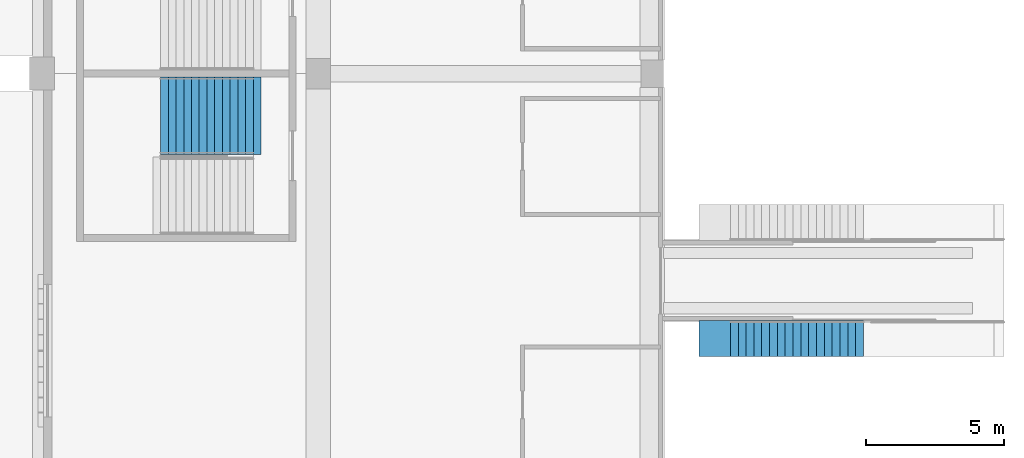
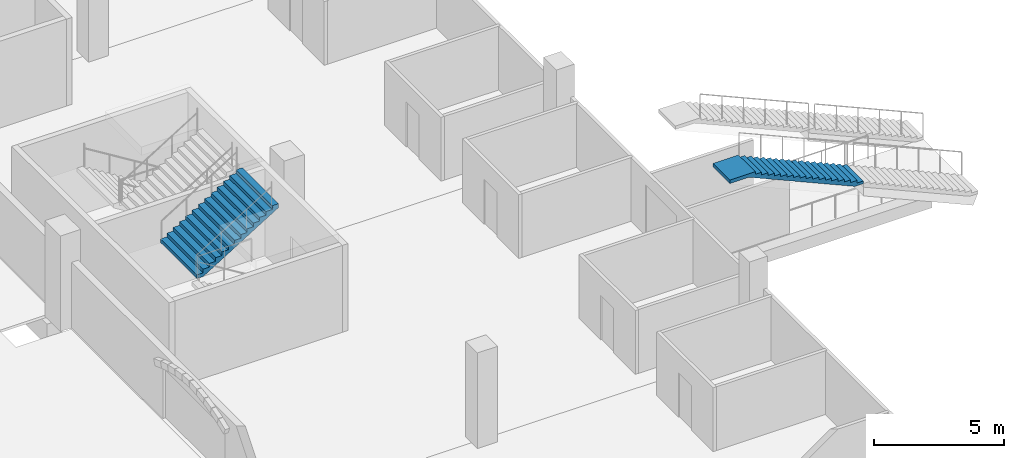
# One storey, part 79 of 175: 2 stair flights, 2 elements without a shape of their own.
"""IFC4 building model written with IfcOpenShell, lengths in metres."""

from ifc_helpers import new_model, si_unit, direction, frame, origin, place, context, subcontext, project, spatial, faceted_brep, material, type_object, element, aggregate, save


model = new_model("IFC4")

# Units and contexts
model_context = context("Model", 3, precision=1e-05, world=origin(), true_north=direction((0.0, 1.0)))
body_context = subcontext(model_context, "Body", "Model", "MODEL_VIEW")
ifc_project = project(units=[si_unit("LENGTHUNIT", "METRE"), si_unit("AREAUNIT", "SQUARE_METRE"), si_unit("VOLUMEUNIT", "CUBIC_METRE"), si_unit("PLANEANGLEUNIT", "RADIAN"), si_unit("MASSUNIT", "GRAM", prefix="KILO")], contexts=[model_context])

# Site, building, storey
site_placement = place(None, origin())
site = spatial("IfcSite", under=ifc_project, at=site_placement, CompositionType="ELEMENT")
building_placement = place(site_placement, origin())
building = spatial("IfcBuilding", under=site, at=building_placement, Name="Ogive Plaza Stadium", CompositionType="ELEMENT")
storey_placement = place(building_placement, origin())
storey = spatial("IfcBuildingStorey", under=building, at=storey_placement, Name="L00", CompositionType="ELEMENT", Elevation=0.0)

# Stair, stair flight
ifc_material_1 = material(Name="Concrete C40/50", Category="concrete")
stair_type_1 = type_object("IfcStairType", Name="Aisle stair", PredefinedType="STRAIGHT_RUN_STAIR", material=ifc_material_1)
stair_1_placement = place(storey_placement, origin())
stair_1 = element("IfcStair", 1, at=stair_1_placement, inside=storey, type_object=stair_type_1, Name="Aisle stair SA23R", PredefinedType="STRAIGHT_RUN_STAIR")
ifc_material_2 = material(Name="Concrete C40/50", Category="concrete")
stair_flight_type_1 = type_object("IfcStairFlightType", Name="Aisle stair flight", PredefinedType="STRAIGHT", material=ifc_material_2)
stair_flight_1_placement = place(storey_placement, frame((-54.25, -17.10009765625, 2.25), z_axis=(0.0, 0.0, 1.0), x_axis=(-1.0, 0.0, 0.0)))
stair_flight_1 = element("IfcStairFlight", 2, at=stair_flight_1_placement, type_object=stair_flight_type_1, Name="SA23R flight 2", NumberOfRisers=18, NumberOfTreads=17, PredefinedType="STRAIGHT", RiserHeight=0.125, TreadLength=0.283333333, context=body_context, shape_type="Brep", body=[
    faceted_brep([(0.371337890625, -0.64990234375, 0.0), (5.10009765625, -0.64990234375, 2.086181640625), (5.949951171875, -0.64990234375, 2.086181640625), (5.949951171875, -0.64990234375, 2.25), (4.816650390625, -0.64990234375, 2.25), (4.816650390625, -0.64990234375, 2.125), (4.533447265625, -0.64990234375, 2.125), (4.533447265625, -0.64990234375, 2.0), (4.25, -0.64990234375, 2.0), (4.25, -0.64990234375, 1.875), (3.966552734375, -0.64990234375, 1.875), (3.966552734375, -0.64990234375, 1.75), (3.683349609375, -0.64990234375, 1.75), (3.683349609375, -0.64990234375, 1.625), (3.39990234375, -0.64990234375, 1.625), (3.39990234375, -0.64990234375, 1.5), (3.11669921875, -0.64990234375, 1.5), (3.11669921875, -0.64990234375, 1.375), (2.833251953125, -0.64990234375, 1.375), (2.833251953125, -0.64990234375, 1.25), (2.550048828125, -0.64990234375, 1.25), (2.550048828125, -0.64990234375, 1.125), (2.2666015625, -0.64990234375, 1.125), (2.2666015625, -0.64990234375, 1.0), (1.9833984375, -0.64990234375, 1.0), (1.9833984375, -0.64990234375, 0.875), (1.699951171875, -0.64990234375, 0.875), (1.699951171875, -0.64990234375, 0.75), (1.416748046875, -0.64990234375, 0.75), (1.416748046875, -0.64990234375, 0.625), (1.13330078125, -0.64990234375, 0.625), (1.13330078125, -0.64990234375, 0.5), (0.85009765625, -0.64990234375, 0.5), (0.85009765625, -0.64990234375, 0.375), (0.566650390625, -0.64990234375, 0.375), (0.566650390625, -0.64990234375, 0.25), (0.283447265625, -0.64990234375, 0.25), (0.283447265625, -0.64990234375, 0.125), (0.0, -0.64990234375, 0.125), (0.0, -0.64990234375, 0.0), (0.0, 0.64990234375, 0.0), (0.0, 0.64990234375, 0.125), (0.283447265625, 0.64990234375, 0.125), (0.283447265625, 0.64990234375, 0.25), (0.566650390625, 0.64990234375, 0.25), (0.566650390625, 0.64990234375, 0.375), (0.85009765625, 0.64990234375, 0.375), (0.85009765625, 0.64990234375, 0.5), (1.13330078125, 0.64990234375, 0.5), (1.13330078125, 0.64990234375, 0.625), (1.416748046875, 0.64990234375, 0.625), (1.416748046875, 0.64990234375, 0.75), (1.699951171875, 0.64990234375, 0.75), (1.699951171875, 0.64990234375, 0.875), (1.9833984375, 0.64990234375, 0.875), (1.9833984375, 0.64990234375, 1.0), (2.2666015625, 0.64990234375, 1.0), (2.2666015625, 0.64990234375, 1.125), (2.550048828125, 0.64990234375, 1.125), (2.550048828125, 0.64990234375, 1.25), (2.833251953125, 0.64990234375, 1.25), (2.833251953125, 0.64990234375, 1.375), (3.11669921875, 0.64990234375, 1.375), (3.11669921875, 0.64990234375, 1.5), (3.39990234375, 0.64990234375, 1.5), (3.39990234375, 0.64990234375, 1.625), (3.683349609375, 0.64990234375, 1.625), (3.683349609375, 0.64990234375, 1.75), (3.966552734375, 0.64990234375, 1.75), (3.966552734375, 0.64990234375, 1.875), (4.25, 0.64990234375, 1.875), (4.25, 0.64990234375, 2.0), (4.533447265625, 0.64990234375, 2.0), (4.533447265625, 0.64990234375, 2.125), (4.816650390625, 0.64990234375, 2.125), (4.816650390625, 0.64990234375, 2.25), (5.949951171875, 0.64990234375, 2.25), (5.949951171875, 0.64990234375, 2.086181640625), (5.10009765625, 0.64990234375, 2.086181640625), (0.371337890625, 0.64990234375, 0.0), (0.371337890625, -0.324951171875, 0.0), (5.10009765625, -0.324951171875, 2.086181640625), (0.371337890625, 0.0, 0.0), (5.10009765625, 0.0, 2.086181640625), (0.371337890625, 0.324951171875, 0.0), (5.10009765625, 0.324951171875, 2.086181640625), (5.949951171875, -0.324951171875, 2.086181640625), (5.949951171875, 0.0, 2.086181640625), (5.949951171875, 0.324951171875, 2.086181640625), (5.949951171875, -0.324951171875, 2.25), (5.949951171875, 0.0, 2.25), (5.949951171875, 0.324951171875, 2.25), (4.816650390625, -0.324951171875, 2.25), (4.816650390625, 0.0, 2.25), (4.816650390625, 0.324951171875, 2.25), (4.816650390625, -0.324951171875, 2.125), (4.816650390625, 0.0, 2.125), (4.816650390625, 0.324951171875, 2.125), (4.533447265625, -0.324951171875, 2.125), (4.533447265625, 0.0, 2.125), (4.533447265625, 0.324951171875, 2.125), (4.533447265625, -0.324951171875, 2.0), (4.533447265625, 0.0, 2.0), (4.533447265625, 0.324951171875, 2.0), (4.25, -0.324951171875, 2.0), (4.25, 0.0, 2.0), (4.25, 0.324951171875, 2.0), (4.25, -0.324951171875, 1.875), (4.25, 0.0, 1.875), (4.25, 0.324951171875, 1.875), (3.966552734375, -0.324951171875, 1.875), (3.966552734375, 0.0, 1.875), (3.966552734375, 0.324951171875, 1.875), (3.966552734375, -0.324951171875, 1.75), (3.966552734375, 0.0, 1.75), (3.966552734375, 0.324951171875, 1.75), (3.683349609375, -0.324951171875, 1.75), (3.683349609375, 0.0, 1.75), (3.683349609375, 0.324951171875, 1.75), (3.683349609375, -0.324951171875, 1.625), (3.683349609375, 0.0, 1.625), (3.683349609375, 0.324951171875, 1.625), (3.39990234375, -0.324951171875, 1.625), (3.39990234375, 0.0, 1.625), (3.39990234375, 0.324951171875, 1.625), (3.39990234375, -0.324951171875, 1.5), (3.39990234375, 0.0, 1.5), (3.39990234375, 0.324951171875, 1.5), (3.11669921875, -0.324951171875, 1.5), (3.11669921875, 0.0, 1.5), (3.11669921875, 0.324951171875, 1.5), (3.11669921875, -0.324951171875, 1.375), (3.11669921875, 0.0, 1.375), (3.11669921875, 0.324951171875, 1.375), (2.833251953125, -0.324951171875, 1.375), (2.833251953125, 0.0, 1.375), (2.833251953125, 0.324951171875, 1.375), (2.833251953125, -0.324951171875, 1.25), (2.833251953125, 0.0, 1.25), (2.833251953125, 0.324951171875, 1.25), (2.550048828125, -0.324951171875, 1.25), (2.550048828125, 0.0, 1.25), (2.550048828125, 0.324951171875, 1.25), (2.550048828125, -0.324951171875, 1.125), (2.550048828125, 0.0, 1.125), (2.550048828125, 0.324951171875, 1.125), (2.2666015625, -0.324951171875, 1.125), (2.2666015625, 0.0, 1.125), (2.2666015625, 0.324951171875, 1.125), (2.2666015625, -0.324951171875, 1.0), (2.2666015625, 0.0, 1.0), (2.2666015625, 0.324951171875, 1.0), (1.9833984375, -0.324951171875, 1.0), (1.9833984375, 0.0, 1.0), (1.9833984375, 0.324951171875, 1.0), (1.9833984375, -0.324951171875, 0.875), (1.9833984375, 0.0, 0.875), (1.9833984375, 0.324951171875, 0.875), (1.699951171875, -0.324951171875, 0.875), (1.699951171875, 0.0, 0.875), (1.699951171875, 0.324951171875, 0.875), (1.699951171875, -0.324951171875, 0.75), (1.699951171875, 0.0, 0.75), (1.699951171875, 0.324951171875, 0.75), (1.416748046875, -0.324951171875, 0.75), (1.416748046875, 0.0, 0.75), (1.416748046875, 0.324951171875, 0.75), (1.416748046875, -0.324951171875, 0.625), (1.416748046875, 0.0, 0.625), (1.416748046875, 0.324951171875, 0.625), (1.13330078125, -0.324951171875, 0.625), (1.13330078125, 0.0, 0.625), (1.13330078125, 0.324951171875, 0.625), (1.13330078125, -0.324951171875, 0.5), (1.13330078125, 0.0, 0.5), (1.13330078125, 0.324951171875, 0.5), (0.85009765625, -0.324951171875, 0.5), (0.85009765625, 0.0, 0.5), (0.85009765625, 0.324951171875, 0.5), (0.85009765625, -0.324951171875, 0.375), (0.85009765625, 0.0, 0.375), (0.85009765625, 0.324951171875, 0.375), (0.566650390625, -0.324951171875, 0.375), (0.566650390625, 0.0, 0.375), (0.566650390625, 0.324951171875, 0.375), (0.566650390625, -0.324951171875, 0.25), (0.566650390625, 0.0, 0.25), (0.566650390625, 0.324951171875, 0.25), (0.283447265625, -0.324951171875, 0.25), (0.283447265625, 0.0, 0.25), (0.283447265625, 0.324951171875, 0.25), (0.283447265625, -0.324951171875, 0.125), (0.283447265625, 0.0, 0.125), (0.283447265625, 0.324951171875, 0.125), (0.0, -0.324951171875, 0.125), (0.0, 0.0, 0.125), (0.0, 0.324951171875, 0.125), (0.0, -0.324951171875, 0.0), (0.0, 0.0, 0.0), (0.0, 0.324951171875, 0.0)], [[[0, 1, 2, 3, 4, 5, 6, 7, 8, 9, 10, 11, 12, 13, 14, 15, 16, 17, 18, 19, 20, 21, 22, 23, 24, 25, 26, 27, 28, 29, 30, 31, 32, 33, 34, 35, 36, 37, 38, 39]], [[40, 41, 42, 43, 44, 45, 46, 47, 48, 49, 50, 51, 52, 53, 54, 55, 56, 57, 58, 59, 60, 61, 62, 63, 64, 65, 66, 67, 68, 69, 70, 71, 72, 73, 74, 75, 76, 77, 78, 79]], [[0, 80, 81, 1]], [[80, 82, 83, 81]], [[82, 84, 85, 83]], [[84, 79, 78, 85]], [[1, 81, 86, 2]], [[81, 83, 87, 86]], [[83, 85, 88, 87]], [[85, 78, 77, 88]], [[2, 86, 89, 3]], [[86, 87, 90, 89]], [[87, 88, 91, 90]], [[88, 77, 76, 91]], [[3, 89, 92, 4]], [[89, 90, 93, 92]], [[90, 91, 94, 93]], [[91, 76, 75, 94]], [[4, 92, 95, 5]], [[92, 93, 96, 95]], [[93, 94, 97, 96]], [[94, 75, 74, 97]], [[5, 95, 98, 6]], [[95, 96, 99, 98]], [[96, 97, 100, 99]], [[97, 74, 73, 100]], [[6, 98, 101, 7]], [[98, 99, 102, 101]], [[99, 100, 103, 102]], [[100, 73, 72, 103]], [[7, 101, 104, 8]], [[101, 102, 105, 104]], [[102, 103, 106, 105]], [[103, 72, 71, 106]], [[8, 104, 107, 9]], [[104, 105, 108, 107]], [[105, 106, 109, 108]], [[106, 71, 70, 109]], [[9, 107, 110, 10]], [[107, 108, 111, 110]], [[108, 109, 112, 111]], [[109, 70, 69, 112]], [[10, 110, 113, 11]], [[110, 111, 114, 113]], [[111, 112, 115, 114]], [[112, 69, 68, 115]], [[11, 113, 116, 12]], [[113, 114, 117, 116]], [[114, 115, 118, 117]], [[115, 68, 67, 118]], [[12, 116, 119, 13]], [[116, 117, 120, 119]], [[117, 118, 121, 120]], [[118, 67, 66, 121]], [[13, 119, 122, 14]], [[119, 120, 123, 122]], [[120, 121, 124, 123]], [[121, 66, 65, 124]], [[14, 122, 125, 15]], [[122, 123, 126, 125]], [[123, 124, 127, 126]], [[124, 65, 64, 127]], [[15, 125, 128, 16]], [[125, 126, 129, 128]], [[126, 127, 130, 129]], [[127, 64, 63, 130]], [[16, 128, 131, 17]], [[128, 129, 132, 131]], [[129, 130, 133, 132]], [[130, 63, 62, 133]], [[17, 131, 134, 18]], [[131, 132, 135, 134]], [[132, 133, 136, 135]], [[133, 62, 61, 136]], [[18, 134, 137, 19]], [[134, 135, 138, 137]], [[135, 136, 139, 138]], [[136, 61, 60, 139]], [[19, 137, 140, 20]], [[137, 138, 141, 140]], [[138, 139, 142, 141]], [[139, 60, 59, 142]], [[20, 140, 143, 21]], [[140, 141, 144, 143]], [[141, 142, 145, 144]], [[142, 59, 58, 145]], [[21, 143, 146, 22]], [[143, 144, 147, 146]], [[144, 145, 148, 147]], [[145, 58, 57, 148]], [[22, 146, 149, 23]], [[146, 147, 150, 149]], [[147, 148, 151, 150]], [[148, 57, 56, 151]], [[23, 149, 152, 24]], [[149, 150, 153, 152]], [[150, 151, 154, 153]], [[151, 56, 55, 154]], [[24, 152, 155, 25]], [[152, 153, 156, 155]], [[153, 154, 157, 156]], [[154, 55, 54, 157]], [[25, 155, 158, 26]], [[155, 156, 159, 158]], [[156, 157, 160, 159]], [[157, 54, 53, 160]], [[26, 158, 161, 27]], [[158, 159, 162, 161]], [[159, 160, 163, 162]], [[160, 53, 52, 163]], [[27, 161, 164, 28]], [[161, 162, 165, 164]], [[162, 163, 166, 165]], [[163, 52, 51, 166]], [[28, 164, 167, 29]], [[164, 165, 168, 167]], [[165, 166, 169, 168]], [[166, 51, 50, 169]], [[29, 167, 170, 30]], [[167, 168, 171, 170]], [[168, 169, 172, 171]], [[169, 50, 49, 172]], [[30, 170, 173, 31]], [[170, 171, 174, 173]], [[171, 172, 175, 174]], [[172, 49, 48, 175]], [[31, 173, 176, 32]], [[173, 174, 177, 176]], [[174, 175, 178, 177]], [[175, 48, 47, 178]], [[32, 176, 179, 33]], [[176, 177, 180, 179]], [[177, 178, 181, 180]], [[178, 47, 46, 181]], [[33, 179, 182, 34]], [[179, 180, 183, 182]], [[180, 181, 184, 183]], [[181, 46, 45, 184]], [[34, 182, 185, 35]], [[182, 183, 186, 185]], [[183, 184, 187, 186]], [[184, 45, 44, 187]], [[35, 185, 188, 36]], [[185, 186, 189, 188]], [[186, 187, 190, 189]], [[187, 44, 43, 190]], [[36, 188, 191, 37]], [[188, 189, 192, 191]], [[189, 190, 193, 192]], [[190, 43, 42, 193]], [[37, 191, 194, 38]], [[191, 192, 195, 194]], [[192, 193, 196, 195]], [[193, 42, 41, 196]], [[38, 194, 197, 39]], [[194, 195, 198, 197]], [[195, 196, 199, 198]], [[196, 41, 40, 199]], [[39, 197, 80, 0]], [[197, 198, 82, 80]], [[198, 199, 84, 82]], [[199, 40, 79, 84]]]),
])
aggregate(stair_1, [stair_flight_1])

ifc_material_3 = material(Name="Concrete C40/50", Category="concrete")
stair_type_2 = type_object("IfcStairType", Name="Exit stair", PredefinedType="STRAIGHT_RUN_STAIR", material=ifc_material_3)
stair_2_placement = place(storey_placement, origin())
stair_2 = element("IfcStair", 3, at=stair_2_placement, inside=storey, type_object=stair_type_2, Name="Exit stair ST24B L00 to L01", PredefinedType="STRAIGHT_RUN_STAIR")
ifc_material_4 = material(Name="Concrete C40/50", Category="concrete")
stair_flight_type_2 = type_object("IfcStairFlightType", Name="Exit stair flight", PredefinedType="STRAIGHT", material=ifc_material_4)
stair_flight_2_placement = place(storey_placement, frame((-79.7099609375, -9.02490234375, 2.25), z_axis=(0.0, 0.0, 1.0), x_axis=(1.0, 0.0, 0.0)))
stair_flight_2 = element("IfcStairFlight", 4, at=stair_flight_2_placement, type_object=stair_flight_type_2, Name="ST24B flight 2", NumberOfRisers=13, NumberOfTreads=12, PredefinedType="STRAIGHT", RiserHeight=0.173076923, TreadLength=0.28, context=body_context, shape_type="Brep", body=[
    faceted_brep([(0.28515625, -1.39990234375, 0.0), (3.639892578125, -1.39990234375, 2.07373046875), (3.639892578125, -1.39990234375, 2.25), (3.360107421875, -1.39990234375, 2.25), (3.360107421875, -1.39990234375, 2.076904296875), (3.080078125, -1.39990234375, 2.076904296875), (3.080078125, -1.39990234375, 1.90380859375), (2.800048828125, -1.39990234375, 1.90380859375), (2.800048828125, -1.39990234375, 1.730712890625), (2.52001953125, -1.39990234375, 1.730712890625), (2.52001953125, -1.39990234375, 1.5576171875), (2.239990234375, -1.39990234375, 1.5576171875), (2.239990234375, -1.39990234375, 1.384521484375), (1.9599609375, -1.39990234375, 1.384521484375), (1.9599609375, -1.39990234375, 1.21142578125), (1.679931640625, -1.39990234375, 1.21142578125), (1.679931640625, -1.39990234375, 1.03857421875), (1.39990234375, -1.39990234375, 1.03857421875), (1.39990234375, -1.39990234375, 0.865478515625), (1.1201171875, -1.39990234375, 0.865478515625), (1.1201171875, -1.39990234375, 0.6923828125), (0.840087890625, -1.39990234375, 0.6923828125), (0.840087890625, -1.39990234375, 0.519287109375), (0.56005859375, -1.39990234375, 0.519287109375), (0.56005859375, -1.39990234375, 0.34619140625), (0.280029296875, -1.39990234375, 0.34619140625), (0.280029296875, -1.39990234375, 0.173095703125), (0.0, -1.39990234375, 0.173095703125), (0.0, -1.39990234375, 0.0), (0.0, 1.39990234375, 0.0), (0.0, 1.39990234375, 0.173095703125), (0.280029296875, 1.39990234375, 0.173095703125), (0.280029296875, 1.39990234375, 0.34619140625), (0.56005859375, 1.39990234375, 0.34619140625), (0.56005859375, 1.39990234375, 0.519287109375), (0.840087890625, 1.39990234375, 0.519287109375), (0.840087890625, 1.39990234375, 0.6923828125), (1.1201171875, 1.39990234375, 0.6923828125), (1.1201171875, 1.39990234375, 0.865478515625), (1.39990234375, 1.39990234375, 0.865478515625), (1.39990234375, 1.39990234375, 1.03857421875), (1.679931640625, 1.39990234375, 1.03857421875), (1.679931640625, 1.39990234375, 1.21142578125), (1.9599609375, 1.39990234375, 1.21142578125), (1.9599609375, 1.39990234375, 1.384521484375), (2.239990234375, 1.39990234375, 1.384521484375), (2.239990234375, 1.39990234375, 1.5576171875), (2.52001953125, 1.39990234375, 1.5576171875), (2.52001953125, 1.39990234375, 1.730712890625), (2.800048828125, 1.39990234375, 1.730712890625), (2.800048828125, 1.39990234375, 1.90380859375), (3.080078125, 1.39990234375, 1.90380859375), (3.080078125, 1.39990234375, 2.076904296875), (3.360107421875, 1.39990234375, 2.076904296875), (3.360107421875, 1.39990234375, 2.25), (3.639892578125, 1.39990234375, 2.25), (3.639892578125, 1.39990234375, 2.07373046875), (0.28515625, 1.39990234375, 0.0), (0.28515625, -1.0888671875, 0.0), (3.639892578125, -1.0888671875, 2.07373046875), (0.28515625, -0.77783203125, 0.0), (3.639892578125, -0.77783203125, 2.07373046875), (0.28515625, -0.466796875, 0.0), (3.639892578125, -0.466796875, 2.07373046875), (0.28515625, -0.155517578125, 0.0), (3.639892578125, -0.155517578125, 2.07373046875), (0.28515625, 0.155517578125, 0.0), (3.639892578125, 0.155517578125, 2.07373046875), (0.28515625, 0.466796875, 0.0), (3.639892578125, 0.466796875, 2.07373046875), (0.28515625, 0.77783203125, 0.0), (3.639892578125, 0.77783203125, 2.07373046875), (0.28515625, 1.0888671875, 0.0), (3.639892578125, 1.0888671875, 2.07373046875), (3.639892578125, -1.0888671875, 2.25), (3.639892578125, -0.77783203125, 2.25), (3.639892578125, -0.466796875, 2.25), (3.639892578125, -0.155517578125, 2.25), (3.639892578125, 0.155517578125, 2.25), (3.639892578125, 0.466796875, 2.25), (3.639892578125, 0.77783203125, 2.25), (3.639892578125, 1.0888671875, 2.25), (3.360107421875, -1.0888671875, 2.25), (3.360107421875, -0.77783203125, 2.25), (3.360107421875, -0.466796875, 2.25), (3.360107421875, -0.155517578125, 2.25), (3.360107421875, 0.155517578125, 2.25), (3.360107421875, 0.466796875, 2.25), (3.360107421875, 0.77783203125, 2.25), (3.360107421875, 1.0888671875, 2.25), (3.360107421875, -1.0888671875, 2.076904296875), (3.360107421875, -0.77783203125, 2.076904296875), (3.360107421875, -0.466796875, 2.076904296875), (3.360107421875, -0.155517578125, 2.076904296875), (3.360107421875, 0.155517578125, 2.076904296875), (3.360107421875, 0.466796875, 2.076904296875), (3.360107421875, 0.77783203125, 2.076904296875), (3.360107421875, 1.0888671875, 2.076904296875), (3.080078125, -1.0888671875, 2.076904296875), (3.080078125, -0.77783203125, 2.076904296875), (3.080078125, -0.466796875, 2.076904296875), (3.080078125, -0.155517578125, 2.076904296875), (3.080078125, 0.155517578125, 2.076904296875), (3.080078125, 0.466796875, 2.076904296875), (3.080078125, 0.77783203125, 2.076904296875), (3.080078125, 1.0888671875, 2.076904296875), (3.080078125, -1.0888671875, 1.90380859375), (3.080078125, -0.77783203125, 1.90380859375), (3.080078125, -0.466796875, 1.90380859375), (3.080078125, -0.155517578125, 1.90380859375), (3.080078125, 0.155517578125, 1.90380859375), (3.080078125, 0.466796875, 1.90380859375), (3.080078125, 0.77783203125, 1.90380859375), (3.080078125, 1.0888671875, 1.90380859375), (2.800048828125, -1.0888671875, 1.90380859375), (2.800048828125, -0.77783203125, 1.90380859375), (2.800048828125, -0.466796875, 1.90380859375), (2.800048828125, -0.155517578125, 1.90380859375), (2.800048828125, 0.155517578125, 1.90380859375), (2.800048828125, 0.466796875, 1.90380859375), (2.800048828125, 0.77783203125, 1.90380859375), (2.800048828125, 1.0888671875, 1.90380859375), (2.800048828125, -1.0888671875, 1.730712890625), (2.800048828125, -0.77783203125, 1.730712890625), (2.800048828125, -0.466796875, 1.730712890625), (2.800048828125, -0.155517578125, 1.730712890625), (2.800048828125, 0.155517578125, 1.730712890625), (2.800048828125, 0.466796875, 1.730712890625), (2.800048828125, 0.77783203125, 1.730712890625), (2.800048828125, 1.0888671875, 1.730712890625), (2.52001953125, -1.0888671875, 1.730712890625), (2.52001953125, -0.77783203125, 1.730712890625), (2.52001953125, -0.466796875, 1.730712890625), (2.52001953125, -0.155517578125, 1.730712890625), (2.52001953125, 0.155517578125, 1.730712890625), (2.52001953125, 0.466796875, 1.730712890625), (2.52001953125, 0.77783203125, 1.730712890625), (2.52001953125, 1.0888671875, 1.730712890625), (2.52001953125, -1.0888671875, 1.5576171875), (2.52001953125, -0.77783203125, 1.5576171875), (2.52001953125, -0.466796875, 1.5576171875), (2.52001953125, -0.155517578125, 1.5576171875), (2.52001953125, 0.155517578125, 1.5576171875), (2.52001953125, 0.466796875, 1.5576171875), (2.52001953125, 0.77783203125, 1.5576171875), (2.52001953125, 1.0888671875, 1.5576171875), (2.239990234375, -1.0888671875, 1.5576171875), (2.239990234375, -0.77783203125, 1.5576171875), (2.239990234375, -0.466796875, 1.5576171875), (2.239990234375, -0.155517578125, 1.5576171875), (2.239990234375, 0.155517578125, 1.5576171875), (2.239990234375, 0.466796875, 1.5576171875), (2.239990234375, 0.77783203125, 1.5576171875), (2.239990234375, 1.0888671875, 1.5576171875), (2.239990234375, -1.0888671875, 1.384521484375), (2.239990234375, -0.77783203125, 1.384521484375), (2.239990234375, -0.466796875, 1.384521484375), (2.239990234375, -0.155517578125, 1.384521484375), (2.239990234375, 0.155517578125, 1.384521484375), (2.239990234375, 0.466796875, 1.384521484375), (2.239990234375, 0.77783203125, 1.384521484375), (2.239990234375, 1.0888671875, 1.384521484375), (1.9599609375, -1.0888671875, 1.384521484375), (1.9599609375, -0.77783203125, 1.384521484375), (1.9599609375, -0.466796875, 1.384521484375), (1.9599609375, -0.155517578125, 1.384521484375), (1.9599609375, 0.155517578125, 1.384521484375), (1.9599609375, 0.466796875, 1.384521484375), (1.9599609375, 0.77783203125, 1.384521484375), (1.9599609375, 1.0888671875, 1.384521484375), (1.9599609375, -1.0888671875, 1.21142578125), (1.9599609375, -0.77783203125, 1.21142578125), (1.9599609375, -0.466796875, 1.21142578125), (1.9599609375, -0.155517578125, 1.21142578125), (1.9599609375, 0.155517578125, 1.21142578125), (1.9599609375, 0.466796875, 1.21142578125), (1.9599609375, 0.77783203125, 1.21142578125), (1.9599609375, 1.0888671875, 1.21142578125), (1.679931640625, -1.0888671875, 1.21142578125), (1.679931640625, -0.77783203125, 1.21142578125), (1.679931640625, -0.466796875, 1.21142578125), (1.679931640625, -0.155517578125, 1.21142578125), (1.679931640625, 0.155517578125, 1.21142578125), (1.679931640625, 0.466796875, 1.21142578125), (1.679931640625, 0.77783203125, 1.21142578125), (1.679931640625, 1.0888671875, 1.21142578125), (1.679931640625, -1.0888671875, 1.03857421875), (1.679931640625, -0.77783203125, 1.03857421875), (1.679931640625, -0.466796875, 1.03857421875), (1.679931640625, -0.155517578125, 1.03857421875), (1.679931640625, 0.155517578125, 1.03857421875), (1.679931640625, 0.466796875, 1.03857421875), (1.679931640625, 0.77783203125, 1.03857421875), (1.679931640625, 1.0888671875, 1.03857421875), (1.39990234375, -1.0888671875, 1.03857421875), (1.39990234375, -0.77783203125, 1.03857421875), (1.39990234375, -0.466796875, 1.03857421875), (1.39990234375, -0.155517578125, 1.03857421875), (1.39990234375, 0.155517578125, 1.03857421875), (1.39990234375, 0.466796875, 1.03857421875), (1.39990234375, 0.77783203125, 1.03857421875), (1.39990234375, 1.0888671875, 1.03857421875), (1.39990234375, -1.0888671875, 0.865478515625), (1.39990234375, -0.77783203125, 0.865478515625), (1.39990234375, -0.466796875, 0.865478515625), (1.39990234375, -0.155517578125, 0.865478515625), (1.39990234375, 0.155517578125, 0.865478515625), (1.39990234375, 0.466796875, 0.865478515625), (1.39990234375, 0.77783203125, 0.865478515625), (1.39990234375, 1.0888671875, 0.865478515625), (1.1201171875, -1.0888671875, 0.865478515625), (1.1201171875, -0.77783203125, 0.865478515625), (1.1201171875, -0.466796875, 0.865478515625), (1.1201171875, -0.155517578125, 0.865478515625), (1.1201171875, 0.155517578125, 0.865478515625), (1.1201171875, 0.466796875, 0.865478515625), (1.1201171875, 0.77783203125, 0.865478515625), (1.1201171875, 1.0888671875, 0.865478515625), (1.1201171875, -1.0888671875, 0.6923828125), (1.1201171875, -0.77783203125, 0.6923828125), (1.1201171875, -0.466796875, 0.6923828125), (1.1201171875, -0.155517578125, 0.6923828125), (1.1201171875, 0.155517578125, 0.6923828125), (1.1201171875, 0.466796875, 0.6923828125), (1.1201171875, 0.77783203125, 0.6923828125), (1.1201171875, 1.0888671875, 0.6923828125), (0.840087890625, -1.0888671875, 0.6923828125), (0.840087890625, -0.77783203125, 0.6923828125), (0.840087890625, -0.466796875, 0.6923828125), (0.840087890625, -0.155517578125, 0.6923828125), (0.840087890625, 0.155517578125, 0.6923828125), (0.840087890625, 0.466796875, 0.6923828125), (0.840087890625, 0.77783203125, 0.6923828125), (0.840087890625, 1.0888671875, 0.6923828125), (0.840087890625, -1.0888671875, 0.519287109375), (0.840087890625, -0.77783203125, 0.519287109375), (0.840087890625, -0.466796875, 0.519287109375), (0.840087890625, -0.155517578125, 0.519287109375), (0.840087890625, 0.155517578125, 0.519287109375), (0.840087890625, 0.466796875, 0.519287109375), (0.840087890625, 0.77783203125, 0.519287109375), (0.840087890625, 1.0888671875, 0.519287109375), (0.56005859375, -1.0888671875, 0.519287109375), (0.56005859375, -0.77783203125, 0.519287109375), (0.56005859375, -0.466796875, 0.519287109375), (0.56005859375, -0.155517578125, 0.519287109375), (0.56005859375, 0.155517578125, 0.519287109375), (0.56005859375, 0.466796875, 0.519287109375), (0.56005859375, 0.77783203125, 0.519287109375), (0.56005859375, 1.0888671875, 0.519287109375), (0.56005859375, -1.0888671875, 0.34619140625), (0.56005859375, -0.77783203125, 0.34619140625), (0.56005859375, -0.466796875, 0.34619140625), (0.56005859375, -0.155517578125, 0.34619140625), (0.56005859375, 0.155517578125, 0.34619140625), (0.56005859375, 0.466796875, 0.34619140625), (0.56005859375, 0.77783203125, 0.34619140625), (0.56005859375, 1.0888671875, 0.34619140625), (0.280029296875, -1.0888671875, 0.34619140625), (0.280029296875, -0.77783203125, 0.34619140625), (0.280029296875, -0.466796875, 0.34619140625), (0.280029296875, -0.155517578125, 0.34619140625), (0.280029296875, 0.155517578125, 0.34619140625), (0.280029296875, 0.466796875, 0.34619140625), (0.280029296875, 0.77783203125, 0.34619140625), (0.280029296875, 1.0888671875, 0.34619140625), (0.280029296875, -1.0888671875, 0.173095703125), (0.280029296875, -0.77783203125, 0.173095703125), (0.280029296875, -0.466796875, 0.173095703125), (0.280029296875, -0.155517578125, 0.173095703125), (0.280029296875, 0.155517578125, 0.173095703125), (0.280029296875, 0.466796875, 0.173095703125), (0.280029296875, 0.77783203125, 0.173095703125), (0.280029296875, 1.0888671875, 0.173095703125), (0.0, -1.0888671875, 0.173095703125), (0.0, -0.77783203125, 0.173095703125), (0.0, -0.466796875, 0.173095703125), (0.0, -0.155517578125, 0.173095703125), (0.0, 0.155517578125, 0.173095703125), (0.0, 0.466796875, 0.173095703125), (0.0, 0.77783203125, 0.173095703125), (0.0, 1.0888671875, 0.173095703125), (0.0, -1.0888671875, 0.0), (0.0, -0.77783203125, 0.0), (0.0, -0.466796875, 0.0), (0.0, -0.155517578125, 0.0), (0.0, 0.155517578125, 0.0), (0.0, 0.466796875, 0.0), (0.0, 0.77783203125, 0.0), (0.0, 1.0888671875, 0.0)], [[[0, 1, 2, 3, 4, 5, 6, 7, 8, 9, 10, 11, 12, 13, 14, 15, 16, 17, 18, 19, 20, 21, 22, 23, 24, 25, 26, 27, 28]], [[29, 30, 31, 32, 33, 34, 35, 36, 37, 38, 39, 40, 41, 42, 43, 44, 45, 46, 47, 48, 49, 50, 51, 52, 53, 54, 55, 56, 57]], [[0, 58, 59, 1]], [[58, 60, 61, 59]], [[60, 62, 63, 61]], [[62, 64, 65, 63]], [[64, 66, 67, 65]], [[66, 68, 69, 67]], [[68, 70, 71, 69]], [[70, 72, 73, 71]], [[72, 57, 56, 73]], [[1, 59, 74, 2]], [[59, 61, 75, 74]], [[61, 63, 76, 75]], [[63, 65, 77, 76]], [[65, 67, 78, 77]], [[67, 69, 79, 78]], [[69, 71, 80, 79]], [[71, 73, 81, 80]], [[73, 56, 55, 81]], [[2, 74, 82, 3]], [[74, 75, 83, 82]], [[75, 76, 84, 83]], [[76, 77, 85, 84]], [[77, 78, 86, 85]], [[78, 79, 87, 86]], [[79, 80, 88, 87]], [[80, 81, 89, 88]], [[81, 55, 54, 89]], [[3, 82, 90, 4]], [[82, 83, 91, 90]], [[83, 84, 92, 91]], [[84, 85, 93, 92]], [[85, 86, 94, 93]], [[86, 87, 95, 94]], [[87, 88, 96, 95]], [[88, 89, 97, 96]], [[89, 54, 53, 97]], [[4, 90, 98, 5]], [[90, 91, 99, 98]], [[91, 92, 100, 99]], [[92, 93, 101, 100]], [[93, 94, 102, 101]], [[94, 95, 103, 102]], [[95, 96, 104, 103]], [[96, 97, 105, 104]], [[97, 53, 52, 105]], [[5, 98, 106, 6]], [[98, 99, 107, 106]], [[99, 100, 108, 107]], [[100, 101, 109, 108]], [[101, 102, 110, 109]], [[102, 103, 111, 110]], [[103, 104, 112, 111]], [[104, 105, 113, 112]], [[105, 52, 51, 113]], [[6, 106, 114, 7]], [[106, 107, 115, 114]], [[107, 108, 116, 115]], [[108, 109, 117, 116]], [[109, 110, 118, 117]], [[110, 111, 119, 118]], [[111, 112, 120, 119]], [[112, 113, 121, 120]], [[113, 51, 50, 121]], [[7, 114, 122, 8]], [[114, 115, 123, 122]], [[115, 116, 124, 123]], [[116, 117, 125, 124]], [[117, 118, 126, 125]], [[118, 119, 127, 126]], [[119, 120, 128, 127]], [[120, 121, 129, 128]], [[121, 50, 49, 129]], [[8, 122, 130, 9]], [[122, 123, 131, 130]], [[123, 124, 132, 131]], [[124, 125, 133, 132]], [[125, 126, 134, 133]], [[126, 127, 135, 134]], [[127, 128, 136, 135]], [[128, 129, 137, 136]], [[129, 49, 48, 137]], [[9, 130, 138, 10]], [[130, 131, 139, 138]], [[131, 132, 140, 139]], [[132, 133, 141, 140]], [[133, 134, 142, 141]], [[134, 135, 143, 142]], [[135, 136, 144, 143]], [[136, 137, 145, 144]], [[137, 48, 47, 145]], [[10, 138, 146, 11]], [[138, 139, 147, 146]], [[139, 140, 148, 147]], [[140, 141, 149, 148]], [[141, 142, 150, 149]], [[142, 143, 151, 150]], [[143, 144, 152, 151]], [[144, 145, 153, 152]], [[145, 47, 46, 153]], [[11, 146, 154, 12]], [[146, 147, 155, 154]], [[147, 148, 156, 155]], [[148, 149, 157, 156]], [[149, 150, 158, 157]], [[150, 151, 159, 158]], [[151, 152, 160, 159]], [[152, 153, 161, 160]], [[153, 46, 45, 161]], [[12, 154, 162, 13]], [[154, 155, 163, 162]], [[155, 156, 164, 163]], [[156, 157, 165, 164]], [[157, 158, 166, 165]], [[158, 159, 167, 166]], [[159, 160, 168, 167]], [[160, 161, 169, 168]], [[161, 45, 44, 169]], [[13, 162, 170, 14]], [[162, 163, 171, 170]], [[163, 164, 172, 171]], [[164, 165, 173, 172]], [[165, 166, 174, 173]], [[166, 167, 175, 174]], [[167, 168, 176, 175]], [[168, 169, 177, 176]], [[169, 44, 43, 177]], [[14, 170, 178, 15]], [[170, 171, 179, 178]], [[171, 172, 180, 179]], [[172, 173, 181, 180]], [[173, 174, 182, 181]], [[174, 175, 183, 182]], [[175, 176, 184, 183]], [[176, 177, 185, 184]], [[177, 43, 42, 185]], [[15, 178, 186, 16]], [[178, 179, 187, 186]], [[179, 180, 188, 187]], [[180, 181, 189, 188]], [[181, 182, 190, 189]], [[182, 183, 191, 190]], [[183, 184, 192, 191]], [[184, 185, 193, 192]], [[185, 42, 41, 193]], [[16, 186, 194, 17]], [[186, 187, 195, 194]], [[187, 188, 196, 195]], [[188, 189, 197, 196]], [[189, 190, 198, 197]], [[190, 191, 199, 198]], [[191, 192, 200, 199]], [[192, 193, 201, 200]], [[193, 41, 40, 201]], [[17, 194, 202, 18]], [[194, 195, 203, 202]], [[195, 196, 204, 203]], [[196, 197, 205, 204]], [[197, 198, 206, 205]], [[198, 199, 207, 206]], [[199, 200, 208, 207]], [[200, 201, 209, 208]], [[201, 40, 39, 209]], [[18, 202, 210, 19]], [[202, 203, 211, 210]], [[203, 204, 212, 211]], [[204, 205, 213, 212]], [[205, 206, 214, 213]], [[206, 207, 215, 214]], [[207, 208, 216, 215]], [[208, 209, 217, 216]], [[209, 39, 38, 217]], [[19, 210, 218, 20]], [[210, 211, 219, 218]], [[211, 212, 220, 219]], [[212, 213, 221, 220]], [[213, 214, 222, 221]], [[214, 215, 223, 222]], [[215, 216, 224, 223]], [[216, 217, 225, 224]], [[217, 38, 37, 225]], [[20, 218, 226, 21]], [[218, 219, 227, 226]], [[219, 220, 228, 227]], [[220, 221, 229, 228]], [[221, 222, 230, 229]], [[222, 223, 231, 230]], [[223, 224, 232, 231]], [[224, 225, 233, 232]], [[225, 37, 36, 233]], [[21, 226, 234, 22]], [[226, 227, 235, 234]], [[227, 228, 236, 235]], [[228, 229, 237, 236]], [[229, 230, 238, 237]], [[230, 231, 239, 238]], [[231, 232, 240, 239]], [[232, 233, 241, 240]], [[233, 36, 35, 241]], [[22, 234, 242, 23]], [[234, 235, 243, 242]], [[235, 236, 244, 243]], [[236, 237, 245, 244]], [[237, 238, 246, 245]], [[238, 239, 247, 246]], [[239, 240, 248, 247]], [[240, 241, 249, 248]], [[241, 35, 34, 249]], [[23, 242, 250, 24]], [[242, 243, 251, 250]], [[243, 244, 252, 251]], [[244, 245, 253, 252]], [[245, 246, 254, 253]], [[246, 247, 255, 254]], [[247, 248, 256, 255]], [[248, 249, 257, 256]], [[249, 34, 33, 257]], [[24, 250, 258, 25]], [[250, 251, 259, 258]], [[251, 252, 260, 259]], [[252, 253, 261, 260]], [[253, 254, 262, 261]], [[254, 255, 263, 262]], [[255, 256, 264, 263]], [[256, 257, 265, 264]], [[257, 33, 32, 265]], [[25, 258, 266, 26]], [[258, 259, 267, 266]], [[259, 260, 268, 267]], [[260, 261, 269, 268]], [[261, 262, 270, 269]], [[262, 263, 271, 270]], [[263, 264, 272, 271]], [[264, 265, 273, 272]], [[265, 32, 31, 273]], [[26, 266, 274, 27]], [[266, 267, 275, 274]], [[267, 268, 276, 275]], [[268, 269, 277, 276]], [[269, 270, 278, 277]], [[270, 271, 279, 278]], [[271, 272, 280, 279]], [[272, 273, 281, 280]], [[273, 31, 30, 281]], [[27, 274, 282, 28]], [[274, 275, 283, 282]], [[275, 276, 284, 283]], [[276, 277, 285, 284]], [[277, 278, 286, 285]], [[278, 279, 287, 286]], [[279, 280, 288, 287]], [[280, 281, 289, 288]], [[281, 30, 29, 289]], [[28, 282, 58, 0]], [[282, 283, 60, 58]], [[283, 284, 62, 60]], [[284, 285, 64, 62]], [[285, 286, 66, 64]], [[286, 287, 68, 66]], [[287, 288, 70, 68]], [[288, 289, 72, 70]], [[289, 29, 57, 72]]]),
])
aggregate(stair_2, [stair_flight_2])

save(model, "model.ifc")
